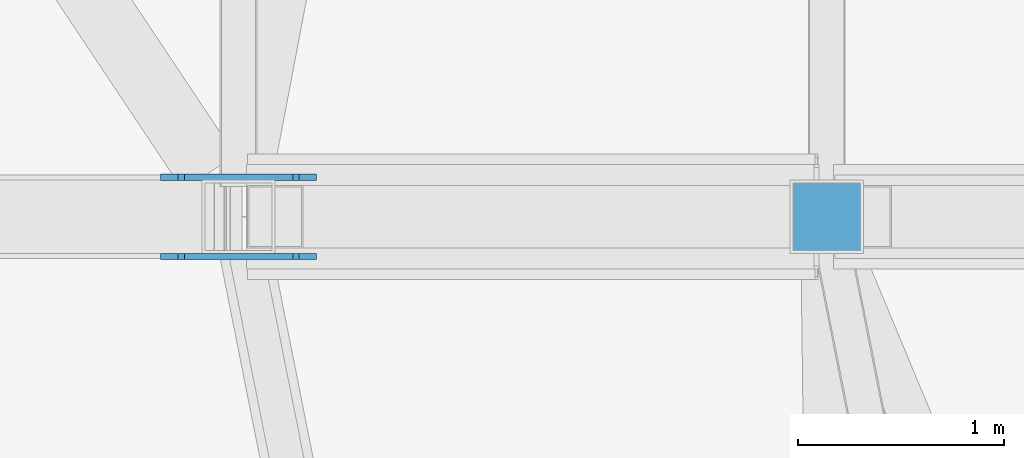
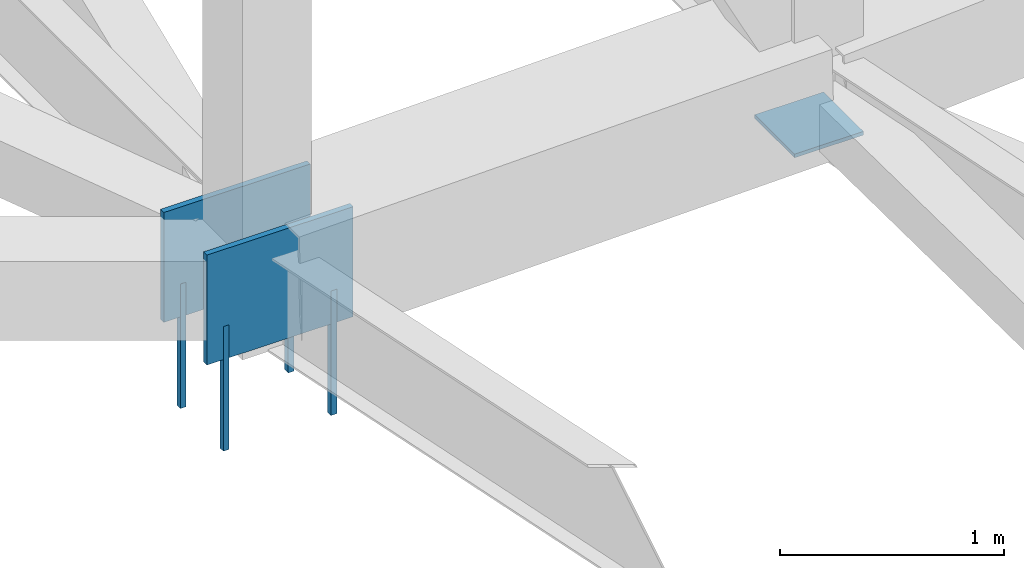
# One storey, part 128 of 278: 4 mechanical fasteners, 3 discrete accessories.
"""IFC4 building model written with IfcOpenShell, lengths in metres."""

from ifc_helpers import new_model, si_unit, direction, frame, origin, origin_2d, place, context, subcontext, project, spatial, rectangle, extrude, material, layer, layer_set, type_object, element, save


model = new_model("IFC4")

# Units and contexts
model_context = context("Model", 3, precision=1e-05, world=origin(), true_north=direction((0.0, 1.0)))
body_context = subcontext(model_context, "Body", "Model", "MODEL_VIEW")
ifc_project = project(units=[si_unit("LENGTHUNIT", "METRE"), si_unit("AREAUNIT", "SQUARE_METRE"), si_unit("VOLUMEUNIT", "CUBIC_METRE"), si_unit("PLANEANGLEUNIT", "RADIAN"), si_unit("MASSUNIT", "GRAM", prefix="KILO")], contexts=[model_context])

# Site, building, storey
site_placement = place(None, origin())
site = spatial("IfcSite", under=ifc_project, at=site_placement, CompositionType="ELEMENT")
building_placement = place(site_placement, origin())
building = spatial("IfcBuilding", under=site, at=building_placement, Name="Ogive Plaza Stadium", CompositionType="ELEMENT")
storey_placement = place(building_placement, frame((0.0, 0.0, 29.0)))
storey = spatial("IfcBuildingStorey", under=building, at=storey_placement, Name="Roof", CompositionType="ELEMENT", Elevation=29.0)

# Mechanical fasteners
ifc_material_1 = material(Name="Steel ASTM A992 Grade 50", Category="steel")
mechanical_fastener_type = type_object("IfcMechanicalFastenerType", Name="Anchor bolt M30 x 600", PredefinedType="ANCHORBOLT", material=ifc_material_1)
for number, where, z_axis, x_axis, name in (
    (1, (-74.27783203125, -52.69189453125, -0.5), (0.0, 0.0, 1.0), (-1.0, 0.0, 0.0), "ANCHOR BOLT 21 BP 1.1"),
    (2, (-73.72216796875, -52.69189453125, -0.5), (0.0, 0.0, 1.0), (-1.0, 0.0, 0.0), "ANCHOR BOLT 21 BP 1.2"),
    (3, (-74.27783203125, -52.30810546875, -0.5), (0.0, 0.0, 1.0), (-1.0, 0.0, 0.0), "ANCHOR BOLT 21 BP 2.1"),
    (4, (-73.72216796875, -52.30810546875, -0.5), (0.0, 0.0, 1.0), (-1.0, 0.0, 0.0), "ANCHOR BOLT 21 BP 2.2"),
):
    element("IfcMechanicalFastener", number, at=place(storey_placement, frame(where, z_axis=z_axis, x_axis=x_axis)), inside=storey, type_object=mechanical_fastener_type, Name=name, PredefinedType="ANCHORBOLT", context=body_context, shape_type="SweptSolid", body=[
        extrude(rectangle(XDim=0.030029296875, YDim=0.030029296875, at=origin_2d()), origin(), (0.0, 0.0, 1.0), 0.679931640625),
    ])

# Discrete accessories
ifc_material_2 = material(Name="Steel ASTM A992 Grade 50", Category="steel")
ifc_layer_1 = layer(ifc_material_2, 0.02001953125)
ifc_layer_set_1 = layer_set([ifc_layer_1], Name="Steel ASTM A992 Grade 50")
discrete_accessory_type_1 = type_object("IfcDiscreteAccessoryType", Name="Roof truss post cap plate 20", PredefinedType="ANCHORPLATE", material=ifc_layer_set_1)
discrete_accessory_placement = place(storey_placement, frame((-71.14990234375, -52.5, 0.04541015625), z_axis=(0.0, 0.0, 1.0), x_axis=(-1.0, 0.0, 0.0)))
element("IfcDiscreteAccessory", 5, at=discrete_accessory_placement, inside=storey, type_object=discrete_accessory_type_1, Name="ROOF TRUSS POST CAP PLATE 21 10", PredefinedType="ANCHORPLATE", context=body_context, shape_type="SweptSolid", body=[
    extrude(rectangle(XDim=0.355712890625, YDim=0.355712890625, at=origin_2d()), origin(), (0.0, 0.0, 1.0), 0.02001953125),
])
ifc_material_3 = material(Name="Steel ASTM A992 Grade 50", Category="steel")
ifc_layer_2 = layer(ifc_material_3, 0.030029296875)
ifc_layer_set_2 = layer_set([ifc_layer_2], Name="Steel ASTM A992 Grade 50")
discrete_accessory_type_2 = type_object("IfcDiscreteAccessoryType", Name="Truss root foot cleat plate 30", PredefinedType="ANCHORPLATE", material=ifc_layer_set_2)
for number, where, z_axis, x_axis, name in (
    (6, (-74.0, -52.69189453125, 0.0), (0.0, 0.0, 1.0), (-1.0, 0.0, 0.0), "TRUSS ROOT FOOT CLEAT PLATE 21 1"),
    (7, (-74.0, -52.30810546875, 0.0), (0.0, 0.0, 1.0), (-1.0, 0.0, 0.0), "TRUSS ROOT FOOT CLEAT PLATE 21 2"),
):
    element("IfcDiscreteAccessory", number, at=place(storey_placement, frame(where, z_axis=z_axis, x_axis=x_axis)), inside=storey, type_object=discrete_accessory_type_2, Name=name, PredefinedType="ANCHORPLATE", context=body_context, shape_type="SweptSolid", body=[
        extrude(rectangle(XDim=0.755615234375, YDim=0.030029296875, at=origin_2d()), origin(), (0.0, 0.0, 1.0), 0.60009765625),
    ])

save(model, "model.ifc")
